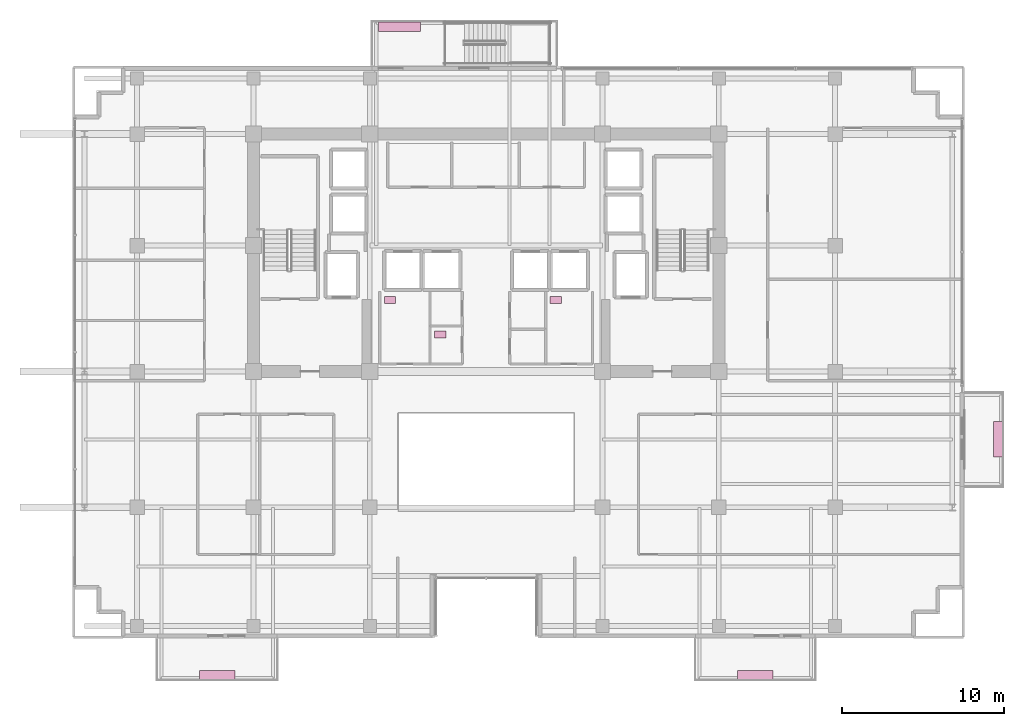
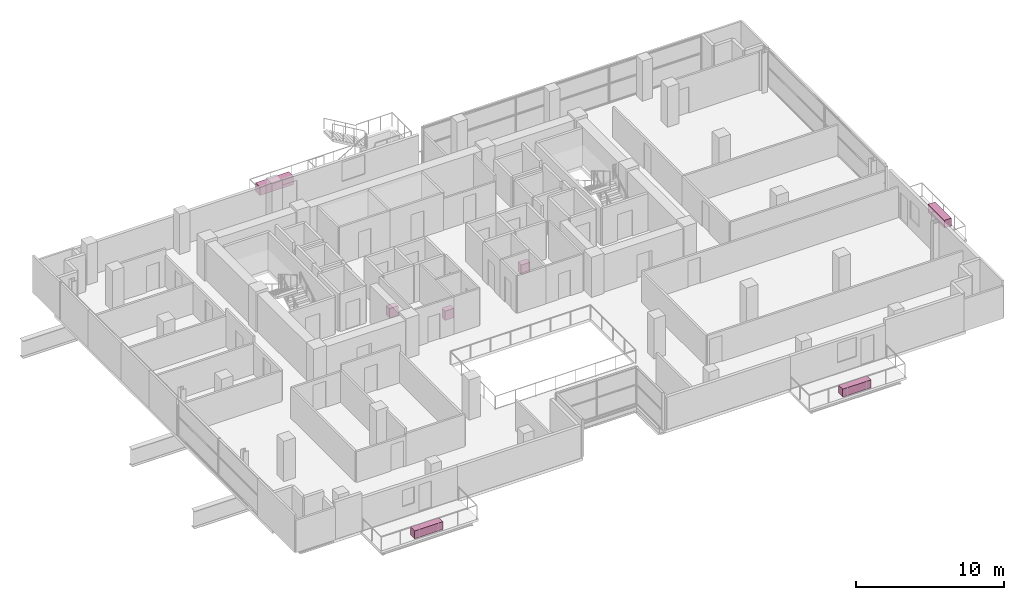
# One storey, part 27 of 27: 7 furnishings.
"""IFC4 building model written with IfcOpenShell, lengths in metres."""

from ifc_helpers import new_model, si_unit, direction, frame, origin, origin_2d, place, context, subcontext, project, spatial, rectangle, extrude, source, transform, mapped, material, type_object, element, save


model = new_model("IFC4")

# Units and contexts
model_context = context("Model", 3, precision=1e-05, world=origin(), true_north=direction((0.0, 1.0)))
body_context = subcontext(model_context, "Body", "Model", "MODEL_VIEW")
ifc_project = project(units=[si_unit("LENGTHUNIT", "METRE"), si_unit("AREAUNIT", "SQUARE_METRE"), si_unit("VOLUMEUNIT", "CUBIC_METRE"), si_unit("PLANEANGLEUNIT", "RADIAN"), si_unit("MASSUNIT", "GRAM", prefix="KILO")], contexts=[model_context])

# Site, building, storey
site_placement = place(None, origin())
site = spatial("IfcSite", under=ifc_project, at=site_placement, CompositionType="ELEMENT")
building_placement = place(site_placement, origin())
building = spatial("IfcBuilding", under=site, at=building_placement, Name="Zarnakvel Exchange Tower", CompositionType="ELEMENT")
storey_placement = place(building_placement, frame((0.0, 0.0, 113.199951171875)))
storey = spatial("IfcBuildingStorey", under=building, at=storey_placement, Name="L31", CompositionType="ELEMENT", Elevation=113.199951171875)

# Furnishings
ifc_material_1 = material(Name="Architectural Bronze Anodised Aluminium", Category="aluminium")
furnishing_element_type_1 = type_object("IfcFurnishingElementType", Name="PLNT-02", material=ifc_material_1)
shared_shape_1 = source(origin(), body_context, "Body", "SweptSolid", [
    extrude(rectangle(XDim=2.60009765625, YDim=0.60009765625, at=origin_2d()), origin(), (0.0, 0.0, 1.0), 0.699951171875),
])
furnishing_placement = place(storey_placement, frame((-5.35009765625, 20.139892578125, 0.0), z_axis=(0.0, 0.0, 1.0), x_axis=(1.0, 0.0, 0.0)))
element("IfcFurnishingElement", 1, at=furnishing_placement, inside=storey, type_object=furnishing_element_type_1, Name="L31 Spiral Sky-Terrace Tropical Planter", ObjectType="PLANTER", context=body_context, shape_type="MappedRepresentation", body=[
    mapped(shared_shape_1, transform((0.0, 0.0, 0.0), x_axis=(1.0, 0.0, 0.0), y_axis=(0.0, 1.0, 0.0), z_axis=(0.0, 0.0, 1.0), scale=1.0)),
])
furnishing_element_type_2 = type_object("IfcFurnishingElementType", Name="PLNT-01", material=ifc_material_1)
shared_shape_2 = source(origin(), body_context, "Body", "SweptSolid", [
    extrude(rectangle(XDim=2.199951171875, YDim=0.550048828125, at=origin_2d()), origin(), (0.0, 0.0, 1.0), 0.64990234375),
])
for number, where, z_axis, x_axis, name in (
    (2, (-16.64990234375, -19.969970703125, -0.034912109375), (0.0, 0.0, 1.0), (1.0, 0.0, 0.0), "L31 Balcony Greenery Planter BAL-L31-SW"),
    (3, (16.64990234375, -19.969970703125, -0.034912109375), (0.0, 0.0, 1.0), (1.0, 0.0, 0.0), "L31 Balcony Greenery Planter BAL-L31-SE"),
    (4, (31.669921875, -5.39990234375, -0.034912109375), (0.0, 0.0, 1.0), (0.0, 1.0, 0.0), "L31 Balcony Greenery Planter BAL-L31-E"),
):
    element("IfcFurnishingElement", number, at=place(storey_placement, frame(where, z_axis=z_axis, x_axis=x_axis)), inside=storey, type_object=furnishing_element_type_2, Name=name, ObjectType="PLANTER", context=body_context, shape_type="MappedRepresentation", body=[
        mapped(shared_shape_2, transform((0.0, 0.0, 0.0), x_axis=(1.0, 0.0, 0.0), y_axis=(0.0, 1.0, 0.0), z_axis=(0.0, 0.0, 1.0), scale=1.0)),
    ])
ifc_material_2 = material(Name="Vitreous China Sanitaryware", Category="ceramic")
furnishing_element_type_3 = type_object("IfcFurnishingElementType", Name="SAN-WC", material=ifc_material_2)
shared_shape_3 = source(origin(), body_context, "Body", "SweptSolid", [
    extrude(rectangle(XDim=0.699951171875, YDim=0.449951171875, at=origin_2d()), origin(), (0.0, 0.0, 1.0), 0.780029296875),
])
for number, where, z_axis, x_axis, name in (
    (5, (-5.949951171875, 3.22998046875, 0.0), (0.0, 0.0, 1.0), (1.0, 0.0, 0.0), "L31 Sanitary Fixture (Male Toilet)"),
    (6, (-2.840087890625, 1.10009765625, 0.0), (0.0, 0.0, 1.0), (1.0, 0.0, 0.0), "L31 Sanitary Fixture (Accessible Toilet)"),
    (7, (4.31005859375, 3.22998046875, 0.0), (0.0, 0.0, 1.0), (1.0, 0.0, 0.0), "L31 Sanitary Fixture (Female Toilet)"),
):
    element("IfcFurnishingElement", number, at=place(storey_placement, frame(where, z_axis=z_axis, x_axis=x_axis)), inside=storey, type_object=furnishing_element_type_3, Name=name, ObjectType="SANITARY_FIXTURE", context=body_context, shape_type="MappedRepresentation", body=[
        mapped(shared_shape_3, transform((0.0, 0.0, 0.0), x_axis=(1.0, 0.0, 0.0), y_axis=(0.0, 1.0, 0.0), z_axis=(0.0, 0.0, 1.0), scale=1.0)),
    ])

save(model, "model.ifc")
